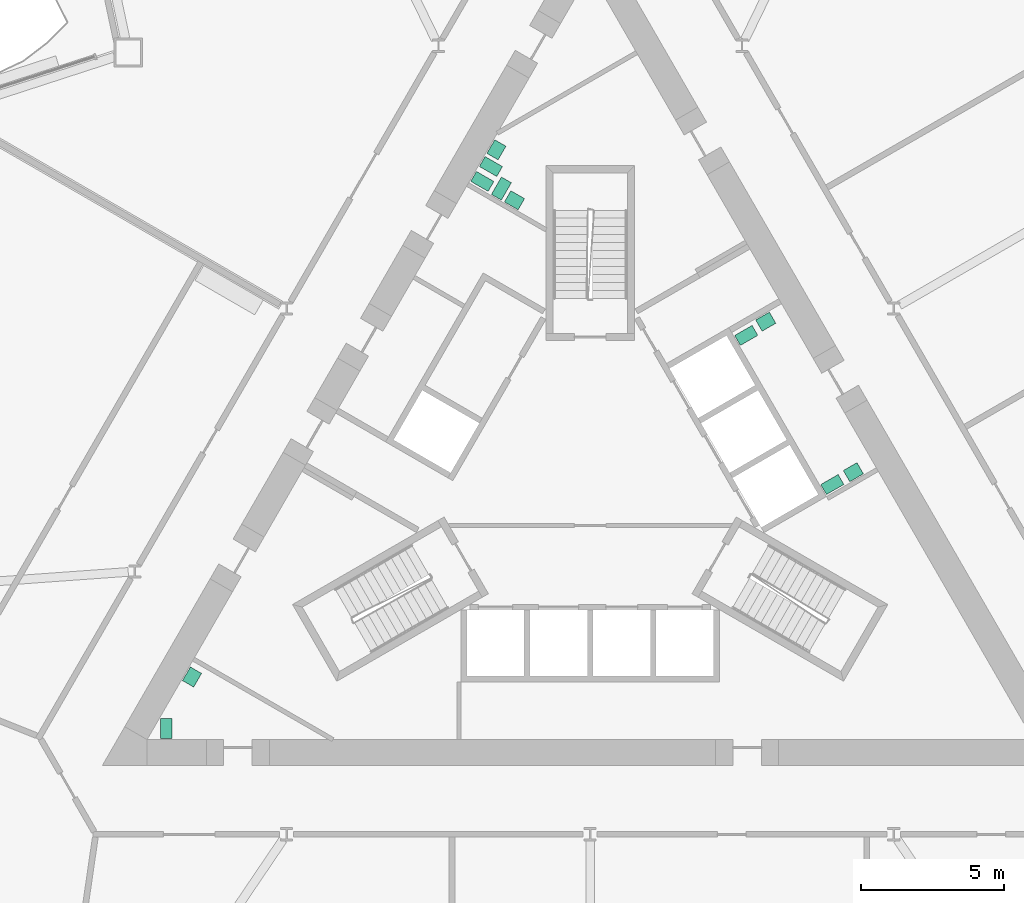
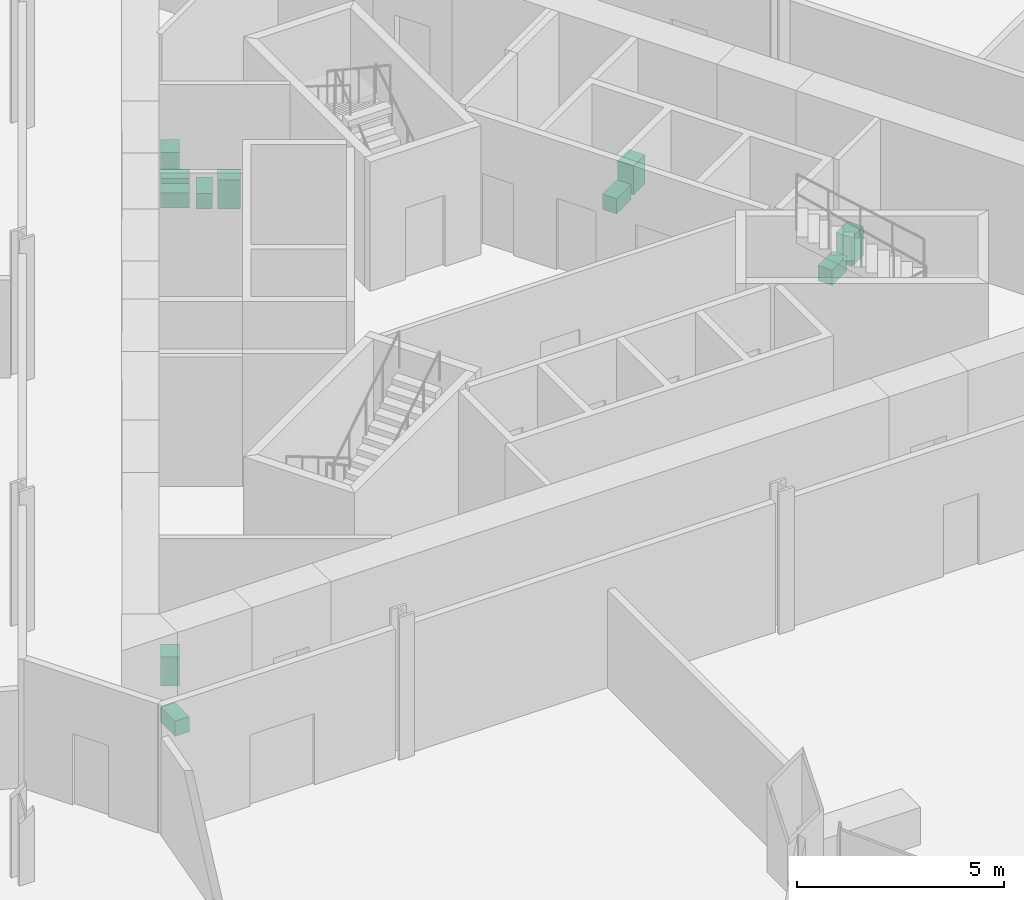
# One storey, part 19 of 20: 11 sanitary terminals.
"""IFC4 building model written with IfcOpenShell, lengths in metres."""

from ifc_helpers import new_model, si_unit, direction, frame, origin, origin_2d, place, context, subcontext, project, spatial, rectangle, extrude, material, type_object, element, save


model = new_model("IFC4")

# Units and contexts
model_context = context("Model", 3, precision=1e-05, world=origin(), true_north=direction((0.0, 1.0)))
body_context = subcontext(model_context, "Body", "Model", "MODEL_VIEW")
ifc_project = project(units=[si_unit("LENGTHUNIT", "METRE"), si_unit("AREAUNIT", "SQUARE_METRE"), si_unit("VOLUMEUNIT", "CUBIC_METRE"), si_unit("PLANEANGLEUNIT", "RADIAN"), si_unit("MASSUNIT", "GRAM", prefix="KILO")], contexts=[model_context])

# Site, building, storey
site_placement = place(None, origin())
site = spatial("IfcSite", under=ifc_project, at=site_placement, CompositionType="ELEMENT")
building_placement = place(site_placement, origin())
building = spatial("IfcBuilding", under=site, at=building_placement, Name="Cormorant Prow Tower", CompositionType="ELEMENT")
storey_placement = place(building_placement, frame((0.0, 0.0, 38.39990234375)))
storey = spatial("IfcBuildingStorey", under=building, at=storey_placement, Name="L07", CompositionType="ELEMENT", Elevation=38.39990234375)

# Sanitary terminals
ifc_material_1 = material(Name="Vitreous china")
sanitary_terminal_type_1 = type_object("IfcSanitaryTerminalType", Name="Wash basin 550x450", PredefinedType="WASHHANDBASIN", material=ifc_material_1)
for number, where, z_axis, x_axis, name in (
    (1, (-3.267578125, 11.640380859375, 0.0), (0.0, 0.0, 1.0), (-0.5, -0.866025403784, 0.0), "Wash basin"),
    (2, (-2.6376953125, 9.881103515625, 0.0), (0.0, 0.0, 1.0), (0.866016677006, -0.500015114919, 0.0), "Wash basin"),
    (3, (6.118896484375, 5.651611328125, 0.0), (0.0, 0.0, 1.0), (-0.866042856549, -0.499969769706, 0.0), "Wash basin"),
    (4, (9.172119140625, 0.405517578125, 0.0), (0.0, 0.0, 1.0), (0.866016677006, 0.500015114919, 0.0), "Wash basin"),
    (5, (-13.87548828125, -6.733154296875, 0.0), (0.0, 0.0, 1.0), (-0.5, -0.866025403784, 0.0), "Wash basin"),
):
    element("IfcSanitaryTerminal", number, at=place(storey_placement, frame(where, z_axis=z_axis, x_axis=x_axis)), inside=storey, type_object=sanitary_terminal_type_1, Name=name, PredefinedType="WASHHANDBASIN", context=body_context, shape_type="SweptSolid", body=[
        extrude(rectangle(XDim=0.550048828125, YDim=0.449951171875, at=origin_2d()), origin(), (0.0, 0.0, 1.0), 0.85009765625),
    ])
ifc_material_2 = material(Name="Vitreous china")
sanitary_terminal_type_2 = type_object("IfcSanitaryTerminalType", Name="Water closet 400x700", PredefinedType="WCSEAT", material=ifc_material_2)
for number, where, z_axis, x_axis, name in (
    (6, (-3.75927734375, 10.538818359375, 0.0), (0.0, 0.0, 1.0), (-0.5, -0.866025403784, 0.0), "Water closet"),
    (7, (-3.459228515625, 11.058349609375, 0.0), (0.0, 0.0, 1.0), (-0.5, -0.866025403784, 0.0), "Water closet"),
    (8, (-3.0947265625, 10.289306640625, 0.0), (0.0, 0.0, 1.0), (0.866016677006, -0.500015114919, 0.0), "Water closet"),
    (9, (8.4384765625, -0.02392578125, 0.0), (0.0, 0.0, 1.0), (0.5, -0.866025403784, 0.0), "Water closet"),
    (10, (5.438720703125, 5.172119140625, 0.0), (0.0, 0.0, 1.0), (0.5, -0.866025403784, 0.0), "Water closet"),
    (11, (-14.77197265625, -8.52490234375, 0.0), (0.0, 0.0, 1.0), (1.0, 0.0, 0.0), "Water closet"),
):
    element("IfcSanitaryTerminal", number, at=place(storey_placement, frame(where, z_axis=z_axis, x_axis=x_axis)), inside=storey, type_object=sanitary_terminal_type_2, Name=name, PredefinedType="WCSEAT", context=body_context, shape_type="SweptSolid", body=[
        extrude(rectangle(XDim=0.39990234375, YDim=0.699951171875, at=origin_2d()), origin(), (0.0, 0.0, 1.0), 0.449951171875),
    ])

save(model, "model.ifc")
